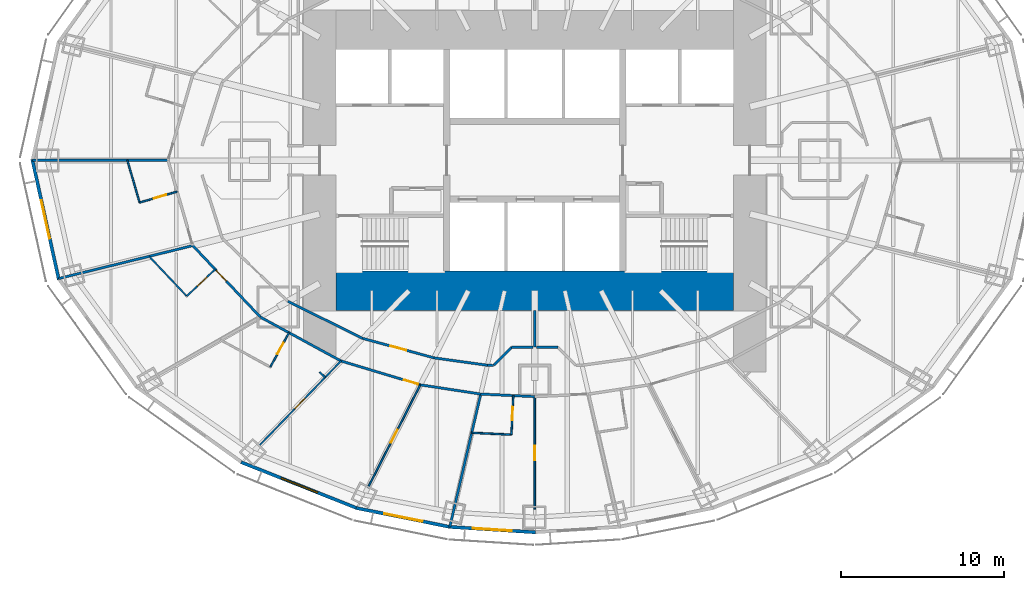
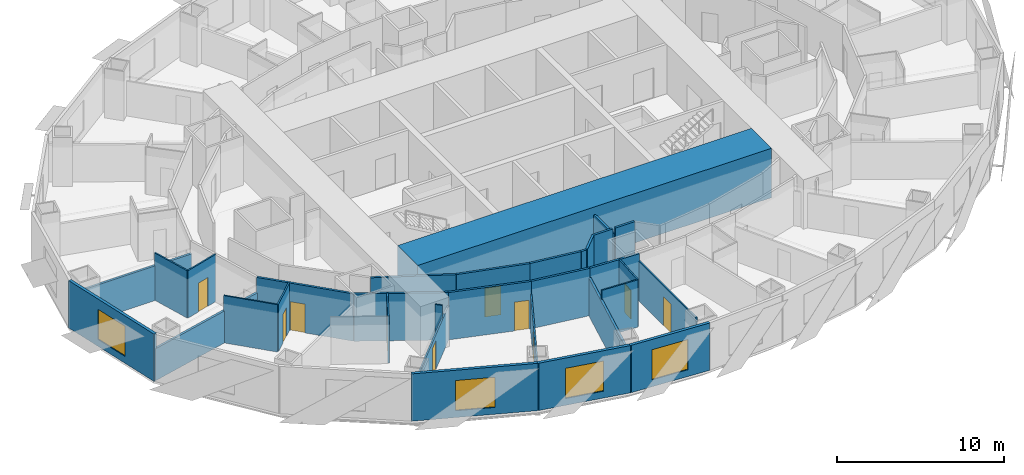
# One storey, part 5 of 15: 32 walls, 10 doors, 4 windows, 14 openings.
"""IFC4 building model written with IfcOpenShell, lengths in metres."""

from ifc_helpers import new_model, si_unit, direction, frame, frame_2d, origin, place, context, subcontext, project, spatial, rectangle, extrude, material, layer, layer_set, type_object, element, fill, save


model = new_model("IFC4")

# Units and contexts
model_context = context("Model", 3, precision=1e-05, world=origin(), true_north=direction((0.0, 1.0)))
body_context = subcontext(model_context, "Body", "Model", "MODEL_VIEW")
ifc_project = project(units=[si_unit("LENGTHUNIT", "METRE"), si_unit("AREAUNIT", "SQUARE_METRE"), si_unit("VOLUMEUNIT", "CUBIC_METRE"), si_unit("PLANEANGLEUNIT", "RADIAN"), si_unit("MASSUNIT", "GRAM", prefix="KILO")], contexts=[model_context])

# Site, building, storey
site_placement = place(None, origin())
site = spatial("IfcSite", under=ifc_project, at=site_placement, CompositionType="ELEMENT")
building_placement = place(site_placement, origin())
building = spatial("IfcBuilding", under=site, at=building_placement, Name="Lantaw Convention Tower", CompositionType="ELEMENT")
storey_placement = place(building_placement, frame((0.0, 0.0, 44.199951171875)))
storey = spatial("IfcBuildingStorey", under=building, at=storey_placement, Name="L08", CompositionType="ELEMENT", Elevation=44.199951171875)

# Walls
ifc_material_1 = material(Name="Gypsum board on steel studs", Category="steel")
ifc_layer_1 = layer(ifc_material_1, 0.14990234375)
ifc_layer_set_1 = layer_set([ifc_layer_1], Name="Back of house wall 150")
wall_type_1 = type_object("IfcWallType", Name="Back of house wall 150", PredefinedType="PARTITIONING", material=ifc_layer_set_1)
wall_1_placement = place(storey_placement, frame((0.0, -9.199951171875, 0.0), z_axis=(0.0, 0.0, 1.0), x_axis=(0.0, -1.0, 0.0)))
element("IfcWall", 1, at=wall_1_placement, inside=storey, type_object=wall_type_1, Name="Back of house wall 150", PredefinedType="PARTITIONING", context=body_context, shape_type="SweptSolid", body=[
    extrude(rectangle(XDim=2.26513671875, YDim=0.14990234375, at=frame_2d((1.132568359375, 0.0))), origin(), (0.0, 0.0, 1.0), 3.043701171875),
])
wall_2_placement = place(storey_placement, frame((0.103271484375, -11.47509765625, 0.0), z_axis=(0.0, 0.0, 1.0), x_axis=(1.0, 0.0, 0.0)))
element("IfcWall", 2, at=wall_2_placement, inside=storey, type_object=wall_type_1, Name="Back of house wall 150", PredefinedType="PARTITIONING", context=body_context, shape_type="SweptSolid", body=[
    extrude(rectangle(XDim=1.3212890625, YDim=0.14990234375, at=frame_2d((0.66064453125, 0.0))), origin(), (0.0, 0.0, 1.0), 3.449951171875),
])

# Wall, opening, door
ifc_material_2 = material(Name="Moisture resistant gypsum board on steel studs", Category="steel")
ifc_layer_2 = layer(ifc_material_2, 0.10009765625)
ifc_layer_set_2 = layer_set([ifc_layer_2], Name="Bathroom wall 100")
wall_type_2 = type_object("IfcWallType", Name="Bathroom wall 100", PredefinedType="PARTITIONING", material=ifc_layer_set_2)
wall_3_placement = place(storey_placement, frame((-21.943359375, -1.9208984375, 0.0), z_axis=(0.0, 0.0, 1.0), x_axis=(-0.960496317326, -0.278292695563, 0.0)))
wall_3 = element("IfcWall", 3, at=wall_3_placement, inside=storey, type_object=wall_type_2, Name="Bathroom wall 100", PredefinedType="PARTITIONING", context=body_context, shape_type="SweptSolid", body=[
    extrude(rectangle(XDim=2.400146484375, YDim=0.10009765625, at=frame_2d((1.2001953125, 0.0))), origin(), (0.0, 0.0, 1.0), 3.449951171875),
])
opening_1_placement = place(wall_3_placement, frame((0.699951171875, 0.0, 0.0)))
opening_1 = element("IfcOpeningElement", 4, at=opening_1_placement, cuts=wall_3, Name="Opening L08.43", PredefinedType="OPENING", context=body_context, shape_type="SweptSolid", body=[
    extrude(rectangle(XDim=0.800048828125, YDim=2.10009765625, at=frame_2d((0.39990234375, 1.050048828125))), frame((0.0, 0.06005859375, 0.0), z_axis=(0.0, -1.0, 0.0), x_axis=(1.0, 0.0, 0.0)), (0.0, 0.0, 1.0), 0.1201171875),
])
ifc_material_3 = material(Name="Timber", Category="wood")
door_type_1 = type_object("IfcDoorType", Name="Bathroom door 800", OperationType="SINGLE_SWING_LEFT", PredefinedType="DOOR", material=ifc_material_3)
door_1_placement = place(opening_1_placement, origin())
door_1 = element("IfcDoor", 5, at=door_1_placement, inside=storey, type_object=door_type_1, Name="Bathroom door", OperationType="SINGLE_SWING_LEFT", OverallHeight=2.10009765625, OverallWidth=0.800048828125, PredefinedType="DOOR", context=body_context, shape_type="SweptSolid", body=[
    extrude(rectangle(XDim=0.800048828125, YDim=2.10009765625, at=frame_2d((0.39990234375, 1.050048828125))), frame((0.0, 0.02490234375, 0.0), z_axis=(0.0, -1.0, 0.0), x_axis=(1.0, 0.0, 0.0)), (0.0, 0.0, 1.0), 0.050048828125),
])
fill(opening_1, door_1)

# Wall
wall_4_placement = place(storey_placement, frame((-24.248779296875, -2.5888671875, 0.0), z_axis=(0.0, 0.0, 1.0), x_axis=(-0.278260412958, 0.960505670249, 0.0)))
element("IfcWall", 6, at=wall_4_placement, inside=storey, type_object=wall_type_2, Name="Bathroom wall 100", PredefinedType="PARTITIONING", context=body_context, shape_type="SweptSolid", body=[
    extrude(rectangle(XDim=2.6953125, YDim=0.10009765625, at=frame_2d((1.34765625, 0.0))), origin(), (0.0, 0.0, 1.0), 3.449951171875),
])

# Wall, opening, door
wall_5_placement = place(storey_placement, frame((-19.610107421875, -6.68505859375, 0.0), z_axis=(0.0, 0.0, 1.0), x_axis=(-0.726564480261, -0.687098287018, 0.0)))
wall_5 = element("IfcWall", 7, at=wall_5_placement, inside=storey, type_object=wall_type_2, Name="Bathroom wall 100", PredefinedType="PARTITIONING", context=body_context, shape_type="SweptSolid", body=[
    extrude(rectangle(XDim=2.400146484375, YDim=0.10009765625, at=frame_2d((1.2001953125, 0.0))), origin(), (0.0, 0.0, 1.0), 3.449951171875),
])
opening_2_placement = place(wall_5_placement, frame((0.699951171875, 0.0, 0.0)))
opening_2 = element("IfcOpeningElement", 8, at=opening_2_placement, cuts=wall_5, Name="Opening L08.45", PredefinedType="OPENING", context=body_context, shape_type="SweptSolid", body=[
    extrude(rectangle(XDim=0.800048828125, YDim=2.10009765625, at=frame_2d((0.39990234375, 1.050048828125))), frame((0.0, 0.06005859375, 0.0), z_axis=(0.0, -1.0, 0.0), x_axis=(1.0, 0.0, 0.0)), (0.0, 0.0, 1.0), 0.1201171875),
])
door_2_placement = place(opening_2_placement, origin())
door_2 = element("IfcDoor", 9, at=door_2_placement, inside=storey, type_object=door_type_1, Name="Bathroom door", OperationType="SINGLE_SWING_LEFT", OverallHeight=2.10009765625, OverallWidth=0.800048828125, PredefinedType="DOOR", context=body_context, shape_type="SweptSolid", body=[
    extrude(rectangle(XDim=0.800048828125, YDim=2.10009765625, at=frame_2d((0.39990234375, 1.050048828125))), frame((0.0, 0.02490234375, 0.0), z_axis=(0.0, -1.0, 0.0), x_axis=(1.0, 0.0, 0.0)), (0.0, 0.0, 1.0), 0.050048828125),
])
fill(opening_2, door_2)

# Wall
wall_6_placement = place(storey_placement, frame((-21.35400390625, -8.334228515625, 0.0), z_axis=(0.0, 0.0, 1.0), x_axis=(-0.68705752606, 0.726603024963, 0.0)))
element("IfcWall", 10, at=wall_6_placement, inside=storey, type_object=wall_type_2, Name="Bathroom wall 100", PredefinedType="PARTITIONING", context=body_context, shape_type="SweptSolid", body=[
    extrude(rectangle(XDim=3.352294921875, YDim=0.10009765625, at=frame_2d((1.67626953125, 0.0))), origin(), (0.0, 0.0, 1.0), 3.449951171875),
])

# Wall, opening, door
wall_7_placement = place(storey_placement, frame((-15.078125, -10.57568359375, 0.0), z_axis=(0.0, 0.0, 1.0), x_axis=(-0.477832549678, -0.878450940274, 0.0)))
wall_7 = element("IfcWall", 11, at=wall_7_placement, inside=storey, type_object=wall_type_2, Name="Bathroom wall 100", PredefinedType="PARTITIONING", context=body_context, shape_type="SweptSolid", body=[
    extrude(rectangle(XDim=2.39990234375, YDim=0.10009765625, at=frame_2d((1.199951171875, 0.0))), origin(), (0.0, 0.0, 1.0), 3.449951171875),
])
opening_3_placement = place(wall_7_placement, frame((0.699951171875, 0.0, 0.0)))
opening_3 = element("IfcOpeningElement", 12, at=opening_3_placement, cuts=wall_7, Name="Opening L08.47", PredefinedType="OPENING", context=body_context, shape_type="SweptSolid", body=[
    extrude(rectangle(XDim=0.800048828125, YDim=2.10009765625, at=frame_2d((0.39990234375, 1.050048828125))), frame((0.0, 0.06005859375, 0.0), z_axis=(0.0, -1.0, 0.0), x_axis=(1.0, 0.0, 0.0)), (0.0, 0.0, 1.0), 0.1201171875),
])
door_3_placement = place(opening_3_placement, origin())
door_3 = element("IfcDoor", 13, at=door_3_placement, inside=storey, type_object=door_type_1, Name="Bathroom door", OperationType="SINGLE_SWING_LEFT", OverallHeight=2.10009765625, OverallWidth=0.800048828125, PredefinedType="DOOR", context=body_context, shape_type="SweptSolid", body=[
    extrude(rectangle(XDim=0.800048828125, YDim=2.10009765625, at=frame_2d((0.39990234375, 1.050048828125))), frame((0.0, 0.02490234375, 0.0), z_axis=(0.0, -1.0, 0.0), x_axis=(1.0, 0.0, 0.0)), (0.0, 0.0, 1.0), 0.050048828125),
])
fill(opening_3, door_3)

wall_8_placement = place(storey_placement, frame((-1.3134765625, -14.4375, 0.0), z_axis=(0.0, 0.0, 1.0), x_axis=(-0.047608648396, -0.998866065395, 0.0)))
wall_8 = element("IfcWall", 14, at=wall_8_placement, inside=storey, type_object=wall_type_2, Name="Bathroom wall 100", PredefinedType="PARTITIONING", context=body_context, shape_type="SweptSolid", body=[
    extrude(rectangle(XDim=2.39990234375, YDim=0.10009765625, at=frame_2d((1.199951171875, 0.0))), origin(), (0.0, 0.0, 1.0), 3.449951171875),
])
opening_4_placement = place(wall_8_placement, frame((0.699951171875, 0.0, 0.0)))
opening_4 = element("IfcOpeningElement", 15, at=opening_4_placement, cuts=wall_8, Name="Opening L08.51", PredefinedType="OPENING", context=body_context, shape_type="SweptSolid", body=[
    extrude(rectangle(XDim=0.800048828125, YDim=2.10009765625, at=frame_2d((0.39990234375, 1.050048828125))), frame((0.0, 0.06005859375, 0.0), z_axis=(0.0, -1.0, 0.0), x_axis=(1.0, 0.0, 0.0)), (0.0, 0.0, 1.0), 0.1201171875),
])
door_4_placement = place(opening_4_placement, origin())
door_4 = element("IfcDoor", 16, at=door_4_placement, inside=storey, type_object=door_type_1, Name="Bathroom door", OperationType="SINGLE_SWING_LEFT", OverallHeight=2.10009765625, OverallWidth=0.800048828125, PredefinedType="DOOR", context=body_context, shape_type="SweptSolid", body=[
    extrude(rectangle(XDim=0.800048828125, YDim=2.10009765625, at=frame_2d((0.39990234375, 1.050048828125))), frame((0.0, 0.02490234375, 0.0), z_axis=(0.0, -1.0, 0.0), x_axis=(1.0, 0.0, 0.0)), (0.0, 0.0, 1.0), 0.050048828125),
])
fill(opening_4, door_4)

# Walls
wall_9_placement = place(storey_placement, frame((-1.427734375, -16.834716796875, 0.0), z_axis=(0.0, 0.0, 1.0), x_axis=(-0.998865186759, 0.047627079272, 0.0)))
element("IfcWall", 17, at=wall_9_placement, inside=storey, type_object=wall_type_2, Name="Bathroom wall 100", PredefinedType="PARTITIONING", context=body_context, shape_type="SweptSolid", body=[
    extrude(rectangle(XDim=2.434814453125, YDim=0.10009765625, at=frame_2d((1.21728515625, 0.0))), origin(), (0.0, 0.0, 1.0), 3.449951171875),
])
ifc_material_4 = material(Name="Concrete C60/75", Category="concrete")
ifc_layer_3 = layer(ifc_material_4, 2.39990234375)
ifc_layer_set_3 = layer_set([ifc_layer_3], Name="Core wall 2400")
wall_type_3 = type_object("IfcWallType", Name="Core wall 2400", PredefinedType="SHEAR", material=ifc_layer_set_3)
wall_10_placement = place(storey_placement, frame((-12.199951171875, -8.0, 0.0), z_axis=(0.0, 0.0, 1.0), x_axis=(1.0, 0.0, 0.0)))
element("IfcWall", 18, at=wall_10_placement, inside=storey, type_object=wall_type_3, Name="Core wall S", PredefinedType="SHEAR", context=body_context, shape_type="SweptSolid", body=[
    extrude(rectangle(XDim=24.39990234375, YDim=2.39990234375, at=frame_2d((12.199951171875, 0.0))), origin(), (0.0, 0.0, 1.0), 3.60009765625),
])

# Wall, opening, door
ifc_material_5 = material(Name="Gypsum board on steel studs, fire rated", Category="steel")
ifc_layer_4 = layer(ifc_material_5, 0.14990234375)
ifc_layer_set_4 = layer_set([ifc_layer_4], Name="Corridor wall 150 EI 60")
wall_type_4 = type_object("IfcWallType", Name="Corridor wall 150 EI 60", PredefinedType="PARTITIONING", material=ifc_layer_set_4)
wall_11_placement = place(storey_placement, frame((-20.984375, -5.23193359375, 0.0), z_axis=(0.0, 0.0, 1.0), x_axis=(0.687062608696, -0.726598218916, 0.0)))
wall_11 = element("IfcWall", 19, at=wall_11_placement, inside=storey, type_object=wall_type_4, Name="Corridor wall 150", PredefinedType="PARTITIONING", context=body_context, shape_type="SweptSolid", body=[
    extrude(rectangle(XDim=6.039306640625, YDim=0.14990234375, at=frame_2d((3.01953125, 0.0))), origin(), (0.0, 0.0, 1.0), 3.449951171875),
])
opening_5_placement = place(wall_11_placement, frame((2.10009765625, 0.0, 0.0)))
opening_5 = element("IfcOpeningElement", 20, at=opening_5_placement, cuts=wall_11, Name="Opening L08.46", PredefinedType="OPENING", context=body_context, shape_type="SweptSolid", body=[
    extrude(rectangle(XDim=0.89990234375, YDim=2.10009765625, at=frame_2d((0.449951171875, 1.050048828125))), frame((0.0, 0.0849609375, 0.0), z_axis=(0.0, -1.0, 0.0), x_axis=(1.0, 0.0, 0.0)), (0.0, 0.0, 1.0), 0.169921875),
])
ifc_material_6 = material(Name="Steel, fire rated", Category="steel")
door_type_2 = type_object("IfcDoorType", Name="Guest room entrance door FD30S", OperationType="SINGLE_SWING_LEFT", PredefinedType="DOOR", material=ifc_material_6)
door_5_placement = place(opening_5_placement, origin())
door_5 = element("IfcDoor", 21, at=door_5_placement, inside=storey, type_object=door_type_2, Name="Guest room entrance door", OperationType="SINGLE_SWING_LEFT", OverallHeight=2.10009765625, OverallWidth=0.89990234375, PredefinedType="DOOR", context=body_context, shape_type="SweptSolid", body=[
    extrude(rectangle(XDim=0.89990234375, YDim=2.10009765625, at=frame_2d((0.449951171875, 1.050048828125))), frame((0.0, 0.02490234375, 0.0), z_axis=(0.0, -1.0, 0.0), x_axis=(1.0, 0.0, 0.0)), (0.0, 0.0, 1.0), 0.050048828125),
])
fill(opening_5, door_5)

# Wall
wall_12_placement = place(storey_placement, frame((-16.8349609375, -9.6201171875, 0.0), z_axis=(0.0, 0.0, 1.0), x_axis=(0.878450059298, -0.477834169267, 0.0)))
element("IfcWall", 22, at=wall_12_placement, inside=storey, type_object=wall_type_4, Name="Corridor wall 150", PredefinedType="PARTITIONING", context=body_context, shape_type="SweptSolid", body=[
    extrude(rectangle(XDim=5.630859375, YDim=0.14990234375, at=frame_2d((2.8154296875, 0.0))), origin(), (0.0, 0.0, 1.0), 3.449951171875),
])

# Wall, opening, door
wall_13_placement = place(storey_placement, frame((-11.888427734375, -12.310791015625, 0.0), z_axis=(0.0, 0.0, 1.0), x_axis=(0.957564241242, -0.288219922793, 0.0)))
wall_13 = element("IfcWall", 23, at=wall_13_placement, inside=storey, type_object=wall_type_4, Name="Corridor wall 150", PredefinedType="PARTITIONING", context=body_context, shape_type="SweptSolid", body=[
    extrude(rectangle(XDim=5.0849609375, YDim=0.14990234375, at=frame_2d((2.54248046875, 0.0))), origin(), (0.0, 0.0, 1.0), 3.449951171875),
])
opening_6_placement = place(wall_13_placement, frame((4.03466796875, 0.0, 0.0)))
opening_6 = element("IfcOpeningElement", 24, at=opening_6_placement, cuts=wall_13, Name="Opening L08.50", PredefinedType="OPENING", context=body_context, shape_type="SweptSolid", body=[
    extrude(rectangle(XDim=0.89990234375, YDim=2.10009765625, at=frame_2d((0.449951171875, 1.050048828125))), frame((0.0, 0.0849609375, 0.0), z_axis=(0.0, -1.0, 0.0), x_axis=(1.0, 0.0, 0.0)), (0.0, 0.0, 1.0), 0.169921875),
])
door_6_placement = place(opening_6_placement, origin())
door_6 = element("IfcDoor", 25, at=door_6_placement, inside=storey, type_object=door_type_2, Name="Suite entrance door", OperationType="SINGLE_SWING_LEFT", OverallHeight=2.10009765625, OverallWidth=0.89990234375, PredefinedType="DOOR", context=body_context, shape_type="SweptSolid", body=[
    extrude(rectangle(XDim=0.89990234375, YDim=2.10009765625, at=frame_2d((0.449951171875, 1.050048828125))), frame((0.0, 0.02490234375, 0.0), z_axis=(0.0, -1.0, 0.0), x_axis=(1.0, 0.0, 0.0)), (0.0, 0.0, 1.0), 0.050048828125),
])
fill(opening_6, door_6)

# Walls
wall_14_placement = place(storey_placement, frame((-7.019287109375, -13.7763671875, 0.0), z_axis=(0.0, 0.0, 1.0), x_axis=(0.988564270062, -0.150800145746, 0.0)))
element("IfcWall", 26, at=wall_14_placement, inside=storey, type_object=wall_type_4, Name="Corridor wall 150", PredefinedType="PARTITIONING", context=body_context, shape_type="SweptSolid", body=[
    extrude(rectangle(XDim=3.751220703125, YDim=0.14990234375, at=frame_2d((1.87548828125, 0.0))), origin(), (0.0, 0.0, 1.0), 3.449951171875),
])
wall_15_placement = place(storey_placement, frame((-3.31103515625, -14.342041015625, 0.0), z_axis=(0.0, 0.0, 1.0), x_axis=(0.998863968075, -0.047652631422, 0.0)))
element("IfcWall", 27, at=wall_15_placement, inside=storey, type_object=wall_type_4, Name="Corridor wall 150", PredefinedType="PARTITIONING", context=body_context, shape_type="SweptSolid", body=[
    extrude(rectangle(XDim=3.314697265625, YDim=0.14990234375, at=frame_2d((1.6572265625, 0.0))), origin(), (0.0, 0.0, 1.0), 3.449951171875),
])
wall_16_placement = place(storey_placement, frame((-15.1474609375, -8.65576171875, 0.0), z_axis=(0.0, 0.0, 1.0), x_axis=(0.89656943448, -0.442903205177, 0.0)))
element("IfcWall", 28, at=wall_16_placement, inside=storey, type_object=wall_type_4, Name="Corridor wall 150", PredefinedType="PARTITIONING", context=body_context, shape_type="SweptSolid", body=[
    extrude(rectangle(XDim=5.12646484375, YDim=0.14990234375, at=frame_2d((2.563232421875, 0.0))), origin(), (0.0, 0.0, 1.0), 3.449951171875),
])

# Wall, opening, door
wall_17_placement = place(storey_placement, frame((-10.55126953125, -10.92626953125, 0.0), z_axis=(0.0, 0.0, 1.0), x_axis=(0.964644466646, -0.263554648923, 0.0)))
wall_17 = element("IfcWall", 29, at=wall_17_placement, inside=storey, type_object=wall_type_4, Name="Corridor wall 150", PredefinedType="PARTITIONING", context=body_context, shape_type="SweptSolid", body=[
    extrude(rectangle(XDim=4.535400390625, YDim=0.14990234375, at=frame_2d((2.267578125, 0.0))), origin(), (0.0, 0.0, 1.0), 3.449951171875),
])
opening_7_placement = place(wall_17_placement, frame((1.767578125, 0.0, 0.0)))
opening_7 = element("IfcOpeningElement", 30, at=opening_7_placement, cuts=wall_17, Name="Opening L08.22", PredefinedType="OPENING", context=body_context, shape_type="SweptSolid", body=[
    extrude(rectangle(XDim=1.0, YDim=2.10009765625, at=frame_2d((0.5, 1.050048828125))), frame((0.0, 0.0849609375, 0.0), z_axis=(0.0, -1.0, 0.0), x_axis=(1.0, 0.0, 0.0)), (0.0, 0.0, 1.0), 0.169921875),
])
door_type_3 = type_object("IfcDoorType", Name="Service door 1000 FD30", OperationType="SINGLE_SWING_LEFT", PredefinedType="DOOR", material=ifc_material_6)
door_7_placement = place(opening_7_placement, origin())
door_7 = element("IfcDoor", 31, at=door_7_placement, inside=storey, type_object=door_type_3, Name="Staff room door", OperationType="SINGLE_SWING_LEFT", OverallHeight=2.10009765625, OverallWidth=1.0, PredefinedType="DOOR", context=body_context, shape_type="SweptSolid", body=[
    extrude(rectangle(XDim=1.0, YDim=2.10009765625, at=frame_2d((0.5, 1.050048828125))), frame((0.0, 0.02490234375, 0.0), z_axis=(0.0, -1.0, 0.0), x_axis=(1.0, 0.0, 0.0)), (0.0, 0.0, 1.0), 0.050048828125),
])
fill(opening_7, door_7)

# Walls
wall_18_placement = place(storey_placement, frame((-6.17626953125, -12.12158203125, 0.0), z_axis=(0.0, 0.0, 1.0), x_axis=(0.990563451353, -0.137054911782, 0.0)))
element("IfcWall", 32, at=wall_18_placement, inside=storey, type_object=wall_type_4, Name="Corridor wall 150", PredefinedType="PARTITIONING", context=body_context, shape_type="SweptSolid", body=[
    extrude(rectangle(XDim=3.304443359375, YDim=0.14990234375, at=frame_2d((1.65234375, 0.0))), origin(), (0.0, 0.0, 1.0), 3.449951171875),
])
wall_19_placement = place(storey_placement, frame((-2.903076171875, -12.574462890625, 0.0), z_axis=(0.0, 0.0, 1.0), x_axis=(0.999061181733, -0.04332153223, 0.0)))
element("IfcWall", 33, at=wall_19_placement, inside=storey, type_object=wall_type_4, Name="Corridor wall 150", PredefinedType="PARTITIONING", context=body_context, shape_type="SweptSolid", body=[
    extrude(rectangle(XDim=0.3662109375, YDim=0.14990234375, at=frame_2d((0.18310546875, 0.0))), origin(), (0.0, 0.0, 1.0), 3.449951171875),
])
wall_20_placement = place(storey_placement, frame((-2.50634765625, -12.57373046875, 0.0), z_axis=(0.0, 0.0, 1.0), x_axis=(0.701622806479, 0.712548550927, 0.0)))
element("IfcWall", 34, at=wall_20_placement, inside=storey, type_object=wall_type_4, Name="Corridor wall 150", PredefinedType="PARTITIONING", context=body_context, shape_type="SweptSolid", body=[
    extrude(rectangle(XDim=1.541748046875, YDim=0.14990234375, at=frame_2d((0.77099609375, 0.0))), origin(), (0.0, 0.0, 1.0), 3.449951171875),
])
wall_21_placement = place(storey_placement, frame((-1.424560546875, -11.47509765625, 0.0), z_axis=(0.0, 0.0, 1.0), x_axis=(1.0, 0.0, 0.0)))
element("IfcWall", 35, at=wall_21_placement, inside=storey, type_object=wall_type_4, Name="Corridor wall 150", PredefinedType="PARTITIONING", context=body_context, shape_type="SweptSolid", body=[
    extrude(rectangle(XDim=1.3212890625, YDim=0.14990234375, at=frame_2d((0.66064453125, 0.0))), origin(), (0.0, 0.0, 1.0), 3.449951171875),
])

# Wall, opening, window
ifc_material_7 = material(Name="Insulated aluminium panel on steel frame", Category="steel")
ifc_layer_5 = layer(ifc_material_7, 0.199951171875)
ifc_layer_set_5 = layer_set([ifc_layer_5], Name="External wall 200")
wall_type_5 = type_object("IfcWallType", Name="External wall 200", PredefinedType="SOLIDWALL", material=ifc_layer_set_5)
wall_22_placement = place(storey_placement, frame((-30.83544921875, 0.06689453125, 0.0), z_axis=(0.0, 0.0, 1.0), x_axis=(0.215238065514, -0.976561608478, 0.0)))
wall_22 = element("IfcWall", 36, at=wall_22_placement, inside=storey, type_object=wall_type_5, Name="Facade panel wall", PredefinedType="SOLIDWALL", context=body_context, shape_type="SweptSolid", body=[
    extrude(rectangle(XDim=7.562255859375, YDim=0.199951171875, at=frame_2d((3.78125, 0.0))), origin(), (0.0, 0.0, 1.0), 3.449951171875),
])
opening_8_placement = place(wall_22_placement, frame((2.581298828125, 0.0, 0.5)))
opening_8 = element("IfcOpeningElement", 37, at=opening_8_placement, cuts=wall_22, Name="Opening W1", PredefinedType="OPENING", context=body_context, shape_type="SweptSolid", body=[
    extrude(rectangle(XDim=2.39990234375, YDim=2.199951171875, at=frame_2d((1.199951171875, 1.10009765625))), frame((0.0, 0.10986328125, 0.0), z_axis=(0.0, -1.0, 0.0), x_axis=(1.0, 0.0, 0.0)), (0.0, 0.0, 1.0), 0.219970703125),
])
ifc_material_8 = material(Name="Aluminium frame, clear insulating glass", Category="aluminium")
window_type = type_object("IfcWindowType", Name="Guest room window 2400x2200", PartitioningType="SINGLE_PANEL", PredefinedType="WINDOW", material=ifc_material_8)
window_1_placement = place(opening_8_placement, origin())
window_1 = element("IfcWindow", 38, at=window_1_placement, inside=storey, type_object=window_type, Name="Guest room window", OverallHeight=2.199951171875, OverallWidth=2.39990234375, PartitioningType="SINGLE_PANEL", PredefinedType="WINDOW", context=body_context, shape_type="SweptSolid", body=[
    extrude(rectangle(XDim=2.39990234375, YDim=2.199951171875, at=frame_2d((1.199951171875, 1.10009765625))), frame((0.0, 0.030029296875, 0.0), z_axis=(0.0, -1.0, 0.0), x_axis=(1.0, 0.0, 0.0)), (0.0, 0.0, 1.0), 0.06005859375),
])
fill(opening_8, window_1)

wall_23_placement = place(storey_placement, frame((-18.018310546875, -18.522705078125, 0.0), z_axis=(0.0, 0.0, 1.0), x_axis=(0.929358351251, -0.369178892895, 0.0)))
wall_23 = element("IfcWall", 39, at=wall_23_placement, inside=storey, type_object=wall_type_5, Name="Facade panel wall", PredefinedType="SOLIDWALL", context=body_context, shape_type="SweptSolid", body=[
    extrude(rectangle(XDim=7.6923828125, YDim=0.199951171875, at=frame_2d((3.84619140625, 0.0))), origin(), (0.0, 0.0, 1.0), 3.449951171875),
])
opening_9_placement = place(wall_23_placement, frame((2.64599609375, 0.0, 0.5)))
opening_9 = element("IfcOpeningElement", 40, at=opening_9_placement, cuts=wall_23, Name="Opening W1", PredefinedType="OPENING", context=body_context, shape_type="SweptSolid", body=[
    extrude(rectangle(XDim=2.39990234375, YDim=2.199951171875, at=frame_2d((1.199951171875, 1.10009765625))), frame((0.0, 0.10986328125, 0.0), z_axis=(0.0, -1.0, 0.0), x_axis=(1.0, 0.0, 0.0)), (0.0, 0.0, 1.0), 0.219970703125),
])
window_2_placement = place(opening_9_placement, origin())
window_2 = element("IfcWindow", 41, at=window_2_placement, inside=storey, type_object=window_type, Name="Guest room window", OverallHeight=2.199951171875, OverallWidth=2.39990234375, PartitioningType="SINGLE_PANEL", PredefinedType="WINDOW", context=body_context, shape_type="SweptSolid", body=[
    extrude(rectangle(XDim=2.39990234375, YDim=2.199951171875, at=frame_2d((1.199951171875, 1.10009765625))), frame((0.0, 0.030029296875, 0.0), z_axis=(0.0, -1.0, 0.0), x_axis=(1.0, 0.0, 0.0)), (0.0, 0.0, 1.0), 0.06005859375),
])
fill(opening_9, window_2)

wall_24_placement = place(storey_placement, frame((-10.956787109375, -21.336669921875, 0.0), z_axis=(0.0, 0.0, 1.0), x_axis=(0.980251657452, -0.197754110105, 0.0)))
wall_24 = element("IfcWall", 42, at=wall_24_placement, inside=storey, type_object=wall_type_5, Name="Facade panel wall", PredefinedType="SOLIDWALL", context=body_context, shape_type="SweptSolid", body=[
    extrude(rectangle(XDim=5.90380859375, YDim=0.199951171875, at=frame_2d((2.951904296875, 0.0))), origin(), (0.0, 0.0, 1.0), 3.449951171875),
])
opening_10_placement = place(wall_24_placement, frame((1.751708984375, 0.0, 0.5)))
opening_10 = element("IfcOpeningElement", 43, at=opening_10_placement, cuts=wall_24, Name="Opening W1", PredefinedType="OPENING", context=body_context, shape_type="SweptSolid", body=[
    extrude(rectangle(XDim=2.39990234375, YDim=2.199951171875, at=frame_2d((1.199951171875, 1.10009765625))), frame((0.0, 0.10986328125, 0.0), z_axis=(0.0, -1.0, 0.0), x_axis=(1.0, 0.0, 0.0)), (0.0, 0.0, 1.0), 0.219970703125),
])
window_3_placement = place(opening_10_placement, origin())
window_3 = element("IfcWindow", 44, at=window_3_placement, inside=storey, type_object=window_type, Name="Guest room window", OverallHeight=2.199951171875, OverallWidth=2.39990234375, PartitioningType="SINGLE_PANEL", PredefinedType="WINDOW", context=body_context, shape_type="SweptSolid", body=[
    extrude(rectangle(XDim=2.39990234375, YDim=2.199951171875, at=frame_2d((1.199951171875, 1.10009765625))), frame((0.0, 0.030029296875, 0.0), z_axis=(0.0, -1.0, 0.0), x_axis=(1.0, 0.0, 0.0)), (0.0, 0.0, 1.0), 0.06005859375),
])
fill(opening_10, window_3)

wall_25_placement = place(storey_placement, frame((-5.252685546875, -22.493408203125, 0.0), z_axis=(0.0, 0.0, 1.0), x_axis=(0.998018582375, -0.062919863585, 0.0)))
wall_25 = element("IfcWall", 45, at=wall_25_placement, inside=storey, type_object=wall_type_5, Name="Facade panel wall", PredefinedType="SOLIDWALL", context=body_context, shape_type="SweptSolid", body=[
    extrude(rectangle(XDim=5.30419921875, YDim=0.199951171875, at=frame_2d((2.652099609375, 0.0))), origin(), (0.0, 0.0, 1.0), 3.449951171875),
])
opening_11_placement = place(wall_25_placement, frame((1.4521484375, 0.0, 0.5)))
opening_11 = element("IfcOpeningElement", 46, at=opening_11_placement, cuts=wall_25, Name="Opening W1", PredefinedType="OPENING", context=body_context, shape_type="SweptSolid", body=[
    extrude(rectangle(XDim=2.39990234375, YDim=2.199951171875, at=frame_2d((1.199951171875, 1.10009765625))), frame((0.0, 0.10986328125, 0.0), z_axis=(0.0, -1.0, 0.0), x_axis=(1.0, 0.0, 0.0)), (0.0, 0.0, 1.0), 0.219970703125),
])
window_4_placement = place(opening_11_placement, origin())
window_4 = element("IfcWindow", 47, at=window_4_placement, inside=storey, type_object=window_type, Name="Guest room window", OverallHeight=2.199951171875, OverallWidth=2.39990234375, PartitioningType="SINGLE_PANEL", PredefinedType="WINDOW", context=body_context, shape_type="SweptSolid", body=[
    extrude(rectangle(XDim=2.39990234375, YDim=2.199951171875, at=frame_2d((1.199951171875, 1.10009765625))), frame((0.0, 0.030029296875, 0.0), z_axis=(0.0, -1.0, 0.0), x_axis=(1.0, 0.0, 0.0)), (0.0, 0.0, 1.0), 0.06005859375),
])
fill(opening_11, window_4)

# Walls
ifc_material_9 = material(Name="Gypsum board on steel studs, acoustic", Category="steel")
ifc_layer_6 = layer(ifc_material_9, 0.14990234375)
ifc_layer_set_6 = layer_set([ifc_layer_6], Name="Guest room party wall 150")
wall_type_6 = type_object("IfcWallType", Name="Guest room party wall 150", PredefinedType="PARTITIONING", material=ifc_layer_set_6)
wall_26_placement = place(storey_placement, frame((-30.82080078125, 0.0, 0.0), z_axis=(0.0, 0.0, 1.0), x_axis=(1.0, 0.0, 0.0)))
element("IfcWall", 48, at=wall_26_placement, inside=storey, type_object=wall_type_6, Name="Guest room party wall 150", PredefinedType="PARTITIONING", context=body_context, shape_type="SweptSolid", body=[
    extrude(rectangle(XDim=8.32080078125, YDim=0.14990234375, at=frame_2d((4.160400390625, 0.0))), origin(), (0.0, 0.0, 1.0), 2.528076171875),
])
wall_27_placement = place(storey_placement, frame((-29.221923828125, -7.253662109375, 0.0), z_axis=(0.0, 0.0, 1.0), x_axis=(0.971178166182, 0.238354713676, 0.0)))
element("IfcWall", 49, at=wall_27_placement, inside=storey, type_object=wall_type_6, Name="Guest room party wall 150", PredefinedType="PARTITIONING", context=body_context, shape_type="SweptSolid", body=[
    extrude(rectangle(XDim=8.48193359375, YDim=0.14990234375, at=frame_2d((4.240966796875, 0.0))), origin(), (0.0, 0.0, 1.0), 2.33251953125),
])
wall_28_placement = place(storey_placement, frame((-5.2109375, -22.495849609375, 0.0), z_axis=(0.0, 0.0, 1.0), x_axis=(0.226929086033, 0.973911284416, 0.0)))
element("IfcWall", 50, at=wall_28_placement, inside=storey, type_object=wall_type_6, Name="Guest room party wall 150", PredefinedType="PARTITIONING", context=body_context, shape_type="SweptSolid", body=[
    extrude(rectangle(XDim=8.372314453125, YDim=0.14990234375, at=frame_2d((4.18603515625, 0.0))), origin(), (0.0, 0.0, 1.0), 2.766845703125),
])
ifc_layer_7 = layer(ifc_material_9, 0.10009765625)
ifc_layer_set_7 = layer_set([ifc_layer_7], Name="Office partition 100")
wall_type_7 = type_object("IfcWallType", Name="Office partition 100", PredefinedType="PARTITIONING", material=ifc_layer_set_7)
wall_29_placement = place(storey_placement, frame((-13.199951171875, -13.0, 0.0), z_axis=(0.0, 0.0, 1.0), x_axis=(0.719347134512, -0.69465077562, 0.0)))
element("IfcWall", 51, at=wall_29_placement, inside=storey, type_object=wall_type_7, Name="Office partition 100", PredefinedType="PARTITIONING", context=body_context, shape_type="SweptSolid", body=[
    extrude(rectangle(XDim=0.464599609375, YDim=0.10009765625, at=frame_2d((0.232421875, 0.0))), origin(), (0.0, 0.0, 1.0), 3.449951171875),
])

# Wall, opening, door
ifc_layer_8 = layer(ifc_material_1, 0.10009765625)
ifc_layer_set_8 = layer_set([ifc_layer_8], Name="Suite partition 100")
wall_type_8 = type_object("IfcWallType", Name="Suite partition 100", PredefinedType="PARTITIONING", material=ifc_layer_set_8)
wall_30_placement = place(storey_placement, frame((-16.943603515625, -17.54541015625, 0.0), z_axis=(0.0, 0.0, 1.0), x_axis=(0.694669949151, 0.719328618746, 0.0)))
wall_30 = element("IfcWall", 52, at=wall_30_placement, inside=storey, type_object=wall_type_8, Name="Suite partition 100", PredefinedType="PARTITIONING", context=body_context, shape_type="SweptSolid", body=[
    extrude(rectangle(XDim=7.277099609375, YDim=0.10009765625, at=frame_2d((3.638671875, 0.0))), origin(), (0.0, 0.0, 1.0), 2.528076171875),
])
opening_12_placement = place(wall_30_placement, frame((3.188720703125, 0.0, 0.0)))
opening_12 = element("IfcOpeningElement", 53, at=opening_12_placement, cuts=wall_30, Name="Opening L08.48", PredefinedType="OPENING", context=body_context, shape_type="SweptSolid", body=[
    extrude(rectangle(XDim=0.89990234375, YDim=2.10009765625, at=frame_2d((0.449951171875, 1.050048828125))), frame((0.0, 0.06005859375, 0.0), z_axis=(0.0, -1.0, 0.0), x_axis=(1.0, 0.0, 0.0)), (0.0, 0.0, 1.0), 0.1201171875),
])
door_type_4 = type_object("IfcDoorType", Name="Suite door 900", OperationType="SINGLE_SWING_LEFT", PredefinedType="DOOR", material=ifc_material_3)
door_8_placement = place(opening_12_placement, origin())
door_8 = element("IfcDoor", 54, at=door_8_placement, inside=storey, type_object=door_type_4, Name="Bedroom door", OperationType="SINGLE_SWING_LEFT", OverallHeight=2.10009765625, OverallWidth=0.89990234375, PredefinedType="DOOR", context=body_context, shape_type="SweptSolid", body=[
    extrude(rectangle(XDim=0.89990234375, YDim=2.10009765625, at=frame_2d((0.449951171875, 1.050048828125))), frame((0.0, 0.02490234375, 0.0), z_axis=(0.0, -1.0, 0.0), x_axis=(1.0, 0.0, 0.0)), (0.0, 0.0, 1.0), 0.050048828125),
])
fill(opening_12, door_8)

wall_31_placement = place(storey_placement, frame((-10.235595703125, -20.08837890625, 0.0), z_axis=(0.0, 0.0, 1.0), x_axis=(0.454010445571, 0.890996360998, 0.0)))
wall_31 = element("IfcWall", 55, at=wall_31_placement, inside=storey, type_object=wall_type_8, Name="Suite partition 100", PredefinedType="PARTITIONING", context=body_context, shape_type="SweptSolid", body=[
    extrude(rectangle(XDim=7.084228515625, YDim=0.10009765625, at=frame_2d((3.5419921875, 0.0))), origin(), (0.0, 0.0, 1.0), 2.528076171875),
])
opening_13_placement = place(wall_31_placement, frame((3.092041015625, 0.0, 0.0)))
opening_13 = element("IfcOpeningElement", 56, at=opening_13_placement, cuts=wall_31, Name="Opening L08.49", PredefinedType="OPENING", context=body_context, shape_type="SweptSolid", body=[
    extrude(rectangle(XDim=0.89990234375, YDim=2.10009765625, at=frame_2d((0.449951171875, 1.050048828125))), frame((0.0, 0.06005859375, 0.0), z_axis=(0.0, -1.0, 0.0), x_axis=(1.0, 0.0, 0.0)), (0.0, 0.0, 1.0), 0.1201171875),
])
door_9_placement = place(opening_13_placement, origin())
door_9 = element("IfcDoor", 57, at=door_9_placement, inside=storey, type_object=door_type_4, Name="Kitchenette door", OperationType="SINGLE_SWING_LEFT", OverallHeight=2.10009765625, OverallWidth=0.89990234375, PredefinedType="DOOR", context=body_context, shape_type="SweptSolid", body=[
    extrude(rectangle(XDim=0.89990234375, YDim=2.10009765625, at=frame_2d((0.449951171875, 1.050048828125))), frame((0.0, 0.02490234375, 0.0), z_axis=(0.0, -1.0, 0.0), x_axis=(1.0, 0.0, 0.0)), (0.0, 0.0, 1.0), 0.050048828125),
])
fill(opening_13, door_9)

wall_32_placement = place(storey_placement, frame((0.0, -21.39990234375, 0.0), z_axis=(0.0, 0.0, 1.0), x_axis=(0.0, 1.0, 0.0)))
wall_32 = element("IfcWall", 58, at=wall_32_placement, inside=storey, type_object=wall_type_8, Name="Suite partition 100", PredefinedType="PARTITIONING", context=body_context, shape_type="SweptSolid", body=[
    extrude(rectangle(XDim=6.89990234375, YDim=0.10009765625, at=frame_2d((3.449951171875, 0.0))), origin(), (0.0, 0.0, 1.0), 2.92431640625),
])
opening_14_placement = place(wall_32_placement, frame((3.0, 0.0, 0.0)))
opening_14 = element("IfcOpeningElement", 59, at=opening_14_placement, cuts=wall_32, Name="Opening L08.52", PredefinedType="OPENING", context=body_context, shape_type="SweptSolid", body=[
    extrude(rectangle(XDim=0.89990234375, YDim=2.10009765625, at=frame_2d((0.449951171875, 1.050048828125))), frame((0.0, 0.06005859375, 0.0), z_axis=(0.0, -1.0, 0.0), x_axis=(1.0, 0.0, 0.0)), (0.0, 0.0, 1.0), 0.1201171875),
])
door_10_placement = place(opening_14_placement, origin())
door_10 = element("IfcDoor", 60, at=door_10_placement, inside=storey, type_object=door_type_4, Name="Bedroom door", OperationType="SINGLE_SWING_LEFT", OverallHeight=2.10009765625, OverallWidth=0.89990234375, PredefinedType="DOOR", context=body_context, shape_type="SweptSolid", body=[
    extrude(rectangle(XDim=0.89990234375, YDim=2.10009765625, at=frame_2d((0.449951171875, 1.050048828125))), frame((0.0, 0.02490234375, 0.0), z_axis=(0.0, -1.0, 0.0), x_axis=(1.0, 0.0, 0.0)), (0.0, 0.0, 1.0), 0.050048828125),
])
fill(opening_14, door_10)

save(model, "model.ifc")
